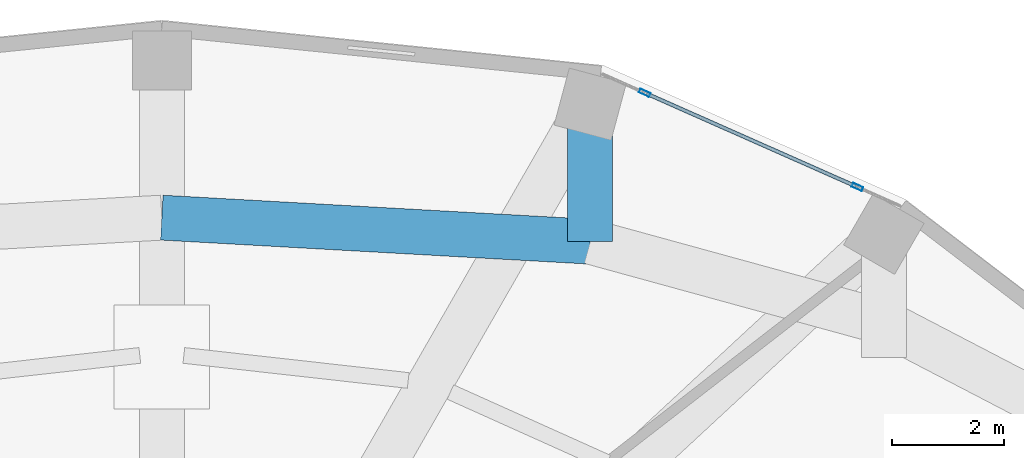
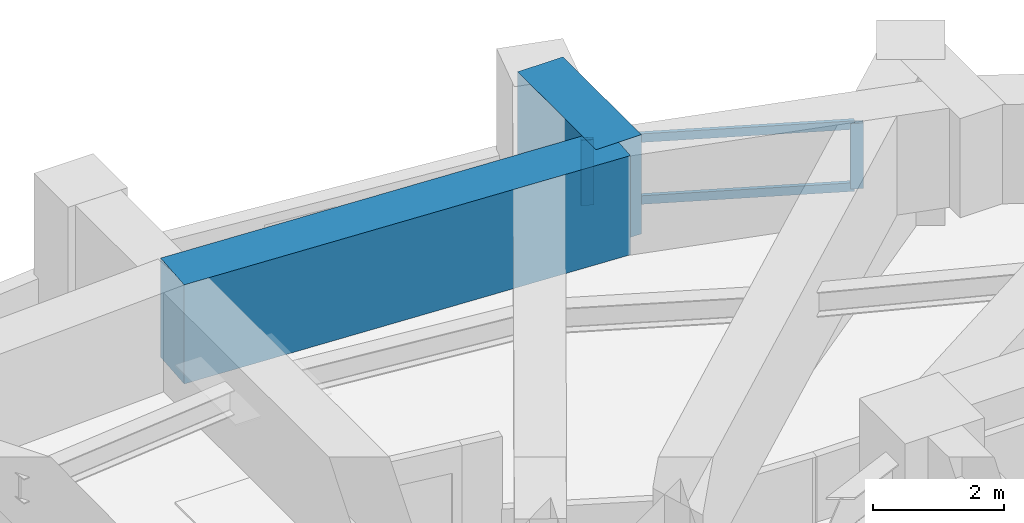
# One storey, part 7 of 16: 4 members, 2 beams, 1 element without a shape of its own.
"""IFC4 building model written with IfcOpenShell, lengths in metres."""

from ifc_helpers import new_model, si_unit, direction, frame, origin, origin_2d, place, context, subcontext, project, spatial, rectangle, hollow_rectangle, extrude, material, layer, layer_set, material_profile, profile_set, type_object, element, aggregate, save


model = new_model("IFC4")

# Units and contexts
model_context = context("Model", 3, precision=1e-05, world=origin(), true_north=direction((0.0, 1.0)))
body_context = subcontext(model_context, "Body", "Model", "MODEL_VIEW")
ifc_project = project(units=[si_unit("LENGTHUNIT", "METRE"), si_unit("AREAUNIT", "SQUARE_METRE"), si_unit("VOLUMEUNIT", "CUBIC_METRE"), si_unit("PLANEANGLEUNIT", "RADIAN"), si_unit("MASSUNIT", "GRAM", prefix="KILO")], contexts=[model_context])

# Site, building, storey
site_placement = place(None, origin())
site = spatial("IfcSite", under=ifc_project, at=site_placement, CompositionType="ELEMENT")
building_placement = place(site_placement, origin())
building = spatial("IfcBuilding", under=site, at=building_placement, Name="Solvane Sanctuary Tower", CompositionType="ELEMENT")
storey_placement = place(building_placement, frame((0.0, 0.0, 82.5)))
storey = spatial("IfcBuildingStorey", under=building, at=storey_placement, Name="L24", CompositionType="ELEMENT", Elevation=82.5)

# Beams
ifc_material_1 = material(Name="Concrete C70/85", Category="concrete")
ifc_material_profile_1 = material_profile(ifc_material_1, rectangle(XDim=0.800048828125, YDim=1.85009765625, at=origin_2d()), Name="RC800X1850")
ifc_profile_set_1 = profile_set([ifc_material_profile_1], Name="Concrete C70/85")
beam_type = type_object("IfcBeamType", Name="Beam B-XFER-BLK RC800X1850", PredefinedType="BEAM", material=ifc_profile_set_1)
beam_1_placement = place(storey_placement, frame((39.62939453125, 41.050048828125, 2.175048828125), z_axis=(0.0, -1.0, 0.0), x_axis=(1.0, 0.0, 0.0)))
element("IfcBeam", 1, at=beam_1_placement, inside=storey, type_object=beam_type, Name="L24 Block-Shift Transfer Tie 03B", PredefinedType="BEAM", context=body_context, shape_type="SweptSolid", body=[
    extrude(rectangle(XDim=0.800048828125, YDim=1.85009765625, at=origin_2d()), origin(), (0.0, 0.0, 1.0), 2.39794921875),
])
beam_2_placement = place(storey_placement, frame((32.0, 39.080078125, 2.175048828125), z_axis=(0.998430322971, -0.056007947397, 0.0), x_axis=(0.056007947397, 0.998430322971, 0.0)))
element("IfcBeam", 2, at=beam_2_placement, inside=storey, type_object=beam_type, Name="L24 Perimeter Step Transfer Ring NTC04-NTC03", PredefinedType="BEAM", context=body_context, shape_type="SweptSolid", body=[
    extrude(rectangle(XDim=0.800048828125, YDim=1.85009765625, at=origin_2d()), origin(), (0.0, 0.0, 1.0), 7.641357421875),
])

# Curtain wall, members
ifc_material_2 = material(Name="Anodised Aluminium 6063-T6", Category="aluminium")
ifc_layer = layer(ifc_material_2, 0.179931640625, Name="Anodised Aluminium 6063-T6")
ifc_layer_set = layer_set([ifc_layer], Name="Anodised Aluminium 6063-T6")
curtain_wall_type = type_object("IfcCurtainWallType", Name="Curtain Wall CW-FRIT-Z2", PredefinedType="NOTDEFINED", material=ifc_layer_set)
curtain_wall_placement = place(storey_placement, origin())
curtain_wall = element("IfcCurtainWall", 3, at=curtain_wall_placement, inside=storey, type_object=curtain_wall_type, Name="L24 CW-FRIT-Z2 Facade Run 04", PredefinedType="NOTDEFINED")
ifc_material_profile_2 = material_profile(ifc_material_2, hollow_rectangle(XDim=0.074951171875, YDim=0.199951171875, WallThickness=0.00390625, at=origin_2d()), Name="ALU200X75X4")
ifc_profile_set_2 = profile_set([ifc_material_profile_2], Name="Anodised Aluminium 6063-T6")
member_type_1 = type_object("IfcMemberType", Name="Member M-CW-MUL-1 ALU200X75X4", PredefinedType="MULLION", material=ifc_profile_set_2)
member_1_placement = place(storey_placement, frame((44.38916015625, 39.625244140625, 0.0), z_axis=(0.0, 0.0, 1.0), x_axis=(-0.404950504664, -0.914338607285, 0.0)))
member_1 = element("IfcMember", 4, at=member_1_placement, type_object=member_type_1, Name="CW-FRIT-Z2 mullion 1", PredefinedType="MULLION", context=body_context, shape_type="SweptSolid", body=[
    extrude(hollow_rectangle(XDim=0.074951171875, YDim=0.199951171875, WallThickness=0.00390625, at=origin_2d()), origin(), (0.0, 0.0, 1.0), 1.219970703125),
])
member_2_placement = place(storey_placement, frame((40.600341796875, 41.30322265625, 0.0), z_axis=(0.0, 0.0, 1.0), x_axis=(-0.404950504664, -0.914338607285, 0.0)))
member_2 = element("IfcMember", 5, at=member_2_placement, type_object=member_type_1, Name="CW-FRIT-Z2 mullion 2", PredefinedType="MULLION", context=body_context, shape_type="SweptSolid", body=[
    extrude(hollow_rectangle(XDim=0.074951171875, YDim=0.199951171875, WallThickness=0.00390625, at=origin_2d()), origin(), (0.0, 0.0, 1.0), 1.219970703125),
])
ifc_material_profile_3 = material_profile(ifc_material_2, hollow_rectangle(XDim=0.06494140625, YDim=0.159912109375, WallThickness=0.00341796875, at=origin_2d()), Name="ALU160X65X3.5")
ifc_profile_set_3 = profile_set([ifc_material_profile_3], Name="Anodised Aluminium 6063-T6")
member_type_2 = type_object("IfcMemberType", Name="Member M-CW-TRN-1 ALU160X65X3.5", PredefinedType="USERDEFINED", material=ifc_profile_set_3)
member_3_placement = place(storey_placement, frame((44.35498046875, 39.640380859375, 0.032470703125), z_axis=(-0.914332885629, 0.404963423357, 0.0), x_axis=(-0.404963423357, -0.914332885629, 0.0)))
member_3 = element("IfcMember", 6, at=member_3_placement, type_object=member_type_2, Name="CW-FRIT-Z2 transom 1.1", ObjectType="TRANSOM", PredefinedType="USERDEFINED", context=body_context, shape_type="SweptSolid", body=[
    extrude(hollow_rectangle(XDim=0.06494140625, YDim=0.159912109375, WallThickness=0.00341796875, at=origin_2d()), origin(), (0.0, 0.0, 1.0), 4.06884765625),
])
member_4_placement = place(storey_placement, frame((44.35498046875, 39.640380859375, 1.1875), z_axis=(-0.914332885629, 0.404963423357, 0.0), x_axis=(-0.404963423357, -0.914332885629, 0.0)))
member_4 = element("IfcMember", 7, at=member_4_placement, type_object=member_type_2, Name="CW-FRIT-Z2 transom 1.2", ObjectType="TRANSOM", PredefinedType="USERDEFINED", context=body_context, shape_type="SweptSolid", body=[
    extrude(hollow_rectangle(XDim=0.06494140625, YDim=0.159912109375, WallThickness=0.00341796875, at=origin_2d()), origin(), (0.0, 0.0, 1.0), 4.06884765625),
])
aggregate(curtain_wall, [member_1, member_2, member_3, member_4])

save(model, "model.ifc")
